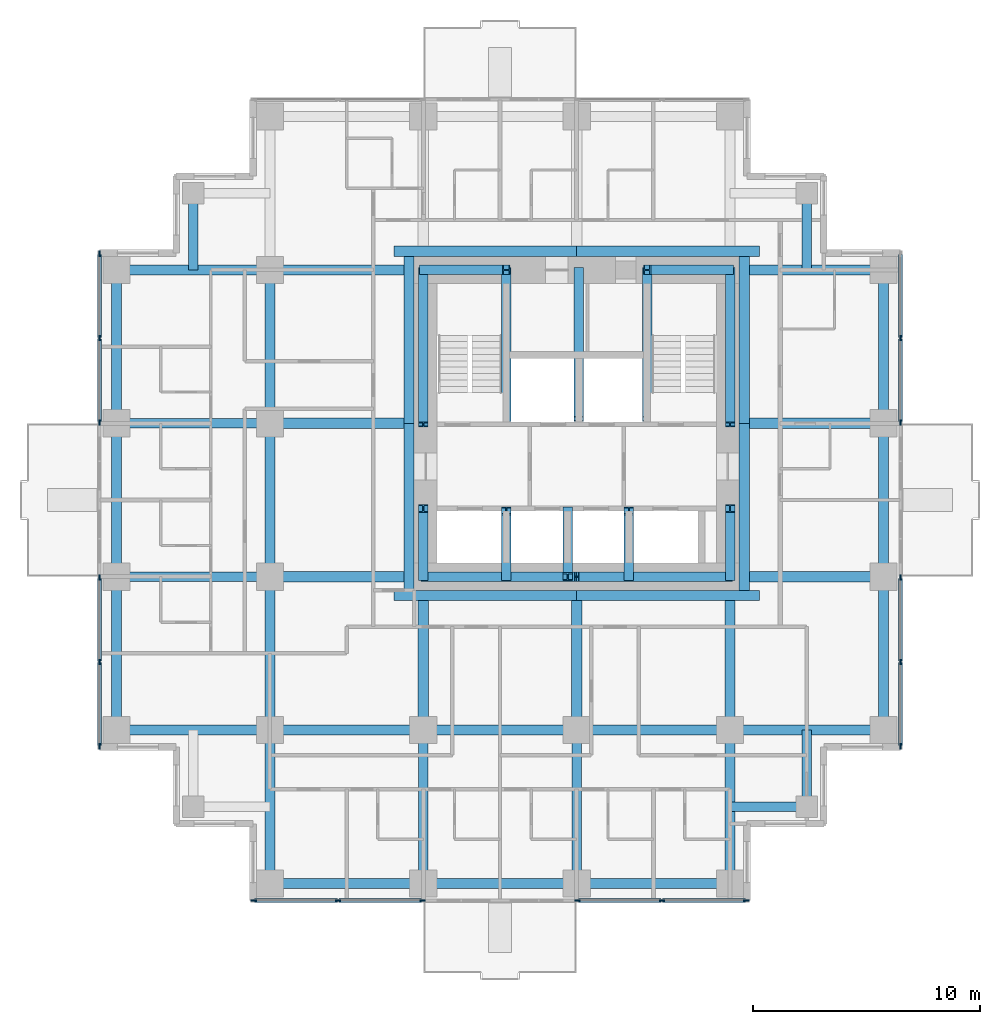
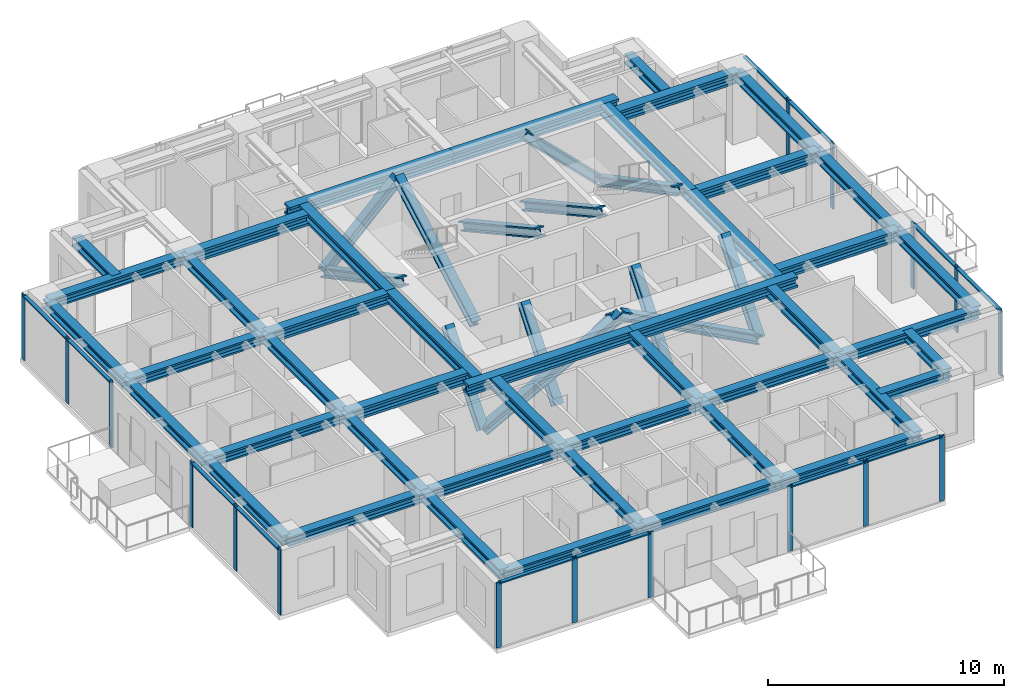
# One storey, part 2 of 10: 45 beams, 43 members, 6 elements without a shape of their own.
"""IFC4 building model written with IfcOpenShell, lengths in metres."""

from ifc_helpers import new_model, si_unit, direction, frame, origin, origin_2d, place, context, subcontext, project, spatial, rectangle, i_section, extrude, material, material_profile, profile_set, type_object, element, aggregate, save


model = new_model("IFC4")

# Units and contexts
model_context = context("Model", 3, precision=1e-05, world=origin(), true_north=direction((0.0, 1.0)))
body_context = subcontext(model_context, "Body", "Model", "MODEL_VIEW")
ifc_project = project(units=[si_unit("LENGTHUNIT", "METRE"), si_unit("AREAUNIT", "SQUARE_METRE"), si_unit("VOLUMEUNIT", "CUBIC_METRE"), si_unit("PLANEANGLEUNIT", "RADIAN"), si_unit("MASSUNIT", "GRAM", prefix="KILO")], contexts=[model_context])

# Site, building, storey
site_placement = place(None, origin())
site = spatial("IfcSite", under=ifc_project, at=site_placement, CompositionType="ELEMENT")
building_placement = place(site_placement, origin())
building = spatial("IfcBuilding", under=site, at=building_placement, Name="Nyansa Garden Tower", CompositionType="ELEMENT")
storey_placement = place(building_placement, frame((0.0, 0.0, 185.39990234375)))
storey = spatial("IfcBuildingStorey", under=building, at=storey_placement, Name="L50", CompositionType="ELEMENT", Elevation=185.39990234375)

# Curtain wall, members
ifc_material_1 = material(Name="Black anodised aluminium, dark tinted double glazing", Category="aluminium")
curtain_wall_type = type_object("IfcCurtainWallType", Name="Inner skin curtain wall ISW-C", PredefinedType="USERDEFINED", material=ifc_material_1)
curtain_wall_1_placement = place(storey_placement, origin())
curtain_wall_1 = element("IfcCurtainWall", 1, at=curtain_wall_1_placement, inside=storey, type_object=curtain_wall_type, Name="Inner skin curtain wall L50 E", ObjectType="UNITISED CURTAIN WALL", PredefinedType="USERDEFINED")
ifc_material_2 = material(Name="Black anodised aluminium", Category="aluminium")
ifc_material_profile_1 = material_profile(ifc_material_2, rectangle(XDim=0.070068359375, YDim=0.25, at=origin_2d()), Name="Mullion 250x70")
ifc_profile_set_1 = profile_set([ifc_material_profile_1], Name="Black anodised aluminium")
member_type_1 = type_object("IfcMemberType", Name="Mullion ISW-C 250x70", PredefinedType="MULLION", material=ifc_profile_set_1)
member_1_placement = place(storey_placement, frame((34.5, 6.034912109375, 0.0), z_axis=(0.0, 0.0, 1.0), x_axis=(-1.0, 0.0, 0.0)))
member_1 = element("IfcMember", 2, at=member_1_placement, type_object=member_type_1, Name="ISW-C mullion 1", PredefinedType="MULLION", context=body_context, shape_type="SweptSolid", body=[
    extrude(rectangle(XDim=0.070068359375, YDim=0.25, at=origin_2d()), origin(), (0.0, 0.0, 1.0), 3.375),
])
member_2_placement = place(storey_placement, frame((34.5, 9.75, 0.0), z_axis=(0.0, 0.0, 1.0), x_axis=(-1.0, 0.0, 0.0)))
member_2 = element("IfcMember", 3, at=member_2_placement, type_object=member_type_1, Name="ISW-C mullion 2", PredefinedType="MULLION", context=body_context, shape_type="SweptSolid", body=[
    extrude(rectangle(XDim=0.070068359375, YDim=0.25, at=origin_2d()), origin(), (0.0, 0.0, 1.0), 3.375),
])
member_3_placement = place(storey_placement, frame((34.5, 13.465087890625, 0.0), z_axis=(0.0, 0.0, 1.0), x_axis=(-1.0, 0.0, 0.0)))
member_3 = element("IfcMember", 4, at=member_3_placement, type_object=member_type_1, Name="ISW-C mullion 3", PredefinedType="MULLION", context=body_context, shape_type="SweptSolid", body=[
    extrude(rectangle(XDim=0.070068359375, YDim=0.25, at=origin_2d()), origin(), (0.0, 0.0, 1.0), 3.375),
])

curtain_wall_2_placement = place(storey_placement, origin())
curtain_wall_2 = element("IfcCurtainWall", 5, at=curtain_wall_2_placement, inside=storey, type_object=curtain_wall_type, Name="Inner skin curtain wall L50 E", ObjectType="UNITISED CURTAIN WALL", PredefinedType="USERDEFINED")
member_4_placement = place(storey_placement, frame((34.5, 20.284912109375, 0.0), z_axis=(0.0, 0.0, 1.0), x_axis=(-1.0, 0.0, 0.0)))
member_4 = element("IfcMember", 6, at=member_4_placement, type_object=member_type_1, Name="ISW-C mullion 1", PredefinedType="MULLION", context=body_context, shape_type="SweptSolid", body=[
    extrude(rectangle(XDim=0.070068359375, YDim=0.25, at=origin_2d()), origin(), (0.0, 0.0, 1.0), 3.375),
])
member_5_placement = place(storey_placement, frame((34.5, 24.0, 0.0), z_axis=(0.0, 0.0, 1.0), x_axis=(-1.0, 0.0, 0.0)))
member_5 = element("IfcMember", 7, at=member_5_placement, type_object=member_type_1, Name="ISW-C mullion 2", PredefinedType="MULLION", context=body_context, shape_type="SweptSolid", body=[
    extrude(rectangle(XDim=0.070068359375, YDim=0.25, at=origin_2d()), origin(), (0.0, 0.0, 1.0), 3.375),
])

curtain_wall_3_placement = place(storey_placement, origin())
curtain_wall_3 = element("IfcCurtainWall", 8, at=curtain_wall_3_placement, inside=storey, type_object=curtain_wall_type, Name="Inner skin curtain wall L50 W", ObjectType="UNITISED CURTAIN WALL", PredefinedType="USERDEFINED")
member_6_placement = place(storey_placement, frame((-0.75, 13.465087890625, 0.0), z_axis=(0.0, 0.0, 1.0), x_axis=(1.0, 0.0, 0.0)))
member_6 = element("IfcMember", 9, at=member_6_placement, type_object=member_type_1, Name="ISW-C mullion 1", PredefinedType="MULLION", context=body_context, shape_type="SweptSolid", body=[
    extrude(rectangle(XDim=0.070068359375, YDim=0.25, at=origin_2d()), origin(), (0.0, 0.0, 1.0), 3.375),
])
member_7_placement = place(storey_placement, frame((-0.75, 9.75, 0.0), z_axis=(0.0, 0.0, 1.0), x_axis=(1.0, 0.0, 0.0)))
member_7 = element("IfcMember", 10, at=member_7_placement, type_object=member_type_1, Name="ISW-C mullion 2", PredefinedType="MULLION", context=body_context, shape_type="SweptSolid", body=[
    extrude(rectangle(XDim=0.070068359375, YDim=0.25, at=origin_2d()), origin(), (0.0, 0.0, 1.0), 3.375),
])
member_8_placement = place(storey_placement, frame((-0.75, 6.034912109375, 0.0), z_axis=(0.0, 0.0, 1.0), x_axis=(1.0, 0.0, 0.0)))
member_8 = element("IfcMember", 11, at=member_8_placement, type_object=member_type_1, Name="ISW-C mullion 3", PredefinedType="MULLION", context=body_context, shape_type="SweptSolid", body=[
    extrude(rectangle(XDim=0.070068359375, YDim=0.25, at=origin_2d()), origin(), (0.0, 0.0, 1.0), 3.375),
])

curtain_wall_4_placement = place(storey_placement, origin())
curtain_wall_4 = element("IfcCurtainWall", 12, at=curtain_wall_4_placement, inside=storey, type_object=curtain_wall_type, Name="Inner skin curtain wall L50 W", ObjectType="UNITISED CURTAIN WALL", PredefinedType="USERDEFINED")
member_9_placement = place(storey_placement, frame((-0.75, 27.715087890625, 0.0), z_axis=(0.0, 0.0, 1.0), x_axis=(1.0, 0.0, 0.0)))
member_9 = element("IfcMember", 13, at=member_9_placement, type_object=member_type_1, Name="ISW-C mullion 1", PredefinedType="MULLION", context=body_context, shape_type="SweptSolid", body=[
    extrude(rectangle(XDim=0.070068359375, YDim=0.25, at=origin_2d()), origin(), (0.0, 0.0, 1.0), 3.375),
])
member_10_placement = place(storey_placement, frame((-0.75, 24.0, 0.0), z_axis=(0.0, 0.0, 1.0), x_axis=(1.0, 0.0, 0.0)))
member_10 = element("IfcMember", 14, at=member_10_placement, type_object=member_type_1, Name="ISW-C mullion 2", PredefinedType="MULLION", context=body_context, shape_type="SweptSolid", body=[
    extrude(rectangle(XDim=0.070068359375, YDim=0.25, at=origin_2d()), origin(), (0.0, 0.0, 1.0), 3.375),
])
member_11_placement = place(storey_placement, frame((-0.75, 20.284912109375, 0.0), z_axis=(0.0, 0.0, 1.0), x_axis=(1.0, 0.0, 0.0)))
member_11 = element("IfcMember", 15, at=member_11_placement, type_object=member_type_1, Name="ISW-C mullion 3", PredefinedType="MULLION", context=body_context, shape_type="SweptSolid", body=[
    extrude(rectangle(XDim=0.070068359375, YDim=0.25, at=origin_2d()), origin(), (0.0, 0.0, 1.0), 3.375),
])

curtain_wall_5_placement = place(storey_placement, origin())
curtain_wall_5 = element("IfcCurtainWall", 16, at=curtain_wall_5_placement, inside=storey, type_object=curtain_wall_type, Name="Inner skin curtain wall L50 S", ObjectType="UNITISED CURTAIN WALL", PredefinedType="USERDEFINED")
member_12_placement = place(storey_placement, frame((6.034912109375, -0.75, 0.0), z_axis=(0.0, 0.0, 1.0), x_axis=(0.0, 1.0, 0.0)))
member_12 = element("IfcMember", 17, at=member_12_placement, type_object=member_type_1, Name="ISW-C mullion 1", PredefinedType="MULLION", context=body_context, shape_type="SweptSolid", body=[
    extrude(rectangle(XDim=0.070068359375, YDim=0.25, at=origin_2d()), origin(), (0.0, 0.0, 1.0), 3.375),
])
member_13_placement = place(storey_placement, frame((9.75, -0.75, 0.0), z_axis=(0.0, 0.0, 1.0), x_axis=(0.0, 1.0, 0.0)))
member_13 = element("IfcMember", 18, at=member_13_placement, type_object=member_type_1, Name="ISW-C mullion 2", PredefinedType="MULLION", context=body_context, shape_type="SweptSolid", body=[
    extrude(rectangle(XDim=0.070068359375, YDim=0.25, at=origin_2d()), origin(), (0.0, 0.0, 1.0), 3.375),
])
member_14_placement = place(storey_placement, frame((13.465087890625, -0.75, 0.0), z_axis=(0.0, 0.0, 1.0), x_axis=(0.0, 1.0, 0.0)))
member_14 = element("IfcMember", 19, at=member_14_placement, type_object=member_type_1, Name="ISW-C mullion 3", PredefinedType="MULLION", context=body_context, shape_type="SweptSolid", body=[
    extrude(rectangle(XDim=0.070068359375, YDim=0.25, at=origin_2d()), origin(), (0.0, 0.0, 1.0), 3.375),
])

curtain_wall_6_placement = place(storey_placement, origin())
curtain_wall_6 = element("IfcCurtainWall", 20, at=curtain_wall_6_placement, inside=storey, type_object=curtain_wall_type, Name="Inner skin curtain wall L50 S", ObjectType="UNITISED CURTAIN WALL", PredefinedType="USERDEFINED")
member_15_placement = place(storey_placement, frame((20.284912109375, -0.75, 0.0), z_axis=(0.0, 0.0, 1.0), x_axis=(0.0, 1.0, 0.0)))
member_15 = element("IfcMember", 21, at=member_15_placement, type_object=member_type_1, Name="ISW-C mullion 1", PredefinedType="MULLION", context=body_context, shape_type="SweptSolid", body=[
    extrude(rectangle(XDim=0.070068359375, YDim=0.25, at=origin_2d()), origin(), (0.0, 0.0, 1.0), 3.375),
])
member_16_placement = place(storey_placement, frame((24.0, -0.75, 0.0), z_axis=(0.0, 0.0, 1.0), x_axis=(0.0, 1.0, 0.0)))
member_16 = element("IfcMember", 22, at=member_16_placement, type_object=member_type_1, Name="ISW-C mullion 2", PredefinedType="MULLION", context=body_context, shape_type="SweptSolid", body=[
    extrude(rectangle(XDim=0.070068359375, YDim=0.25, at=origin_2d()), origin(), (0.0, 0.0, 1.0), 3.375),
])
member_17_placement = place(storey_placement, frame((27.715087890625, -0.75, 0.0), z_axis=(0.0, 0.0, 1.0), x_axis=(0.0, 1.0, 0.0)))
member_17 = element("IfcMember", 23, at=member_17_placement, type_object=member_type_1, Name="ISW-C mullion 3", PredefinedType="MULLION", context=body_context, shape_type="SweptSolid", body=[
    extrude(rectangle(XDim=0.070068359375, YDim=0.25, at=origin_2d()), origin(), (0.0, 0.0, 1.0), 3.375),
])

# Members
ifc_material_3 = material(Name="Steel S355", Category="steel")
ifc_material_profile_2 = material_profile(ifc_material_3, i_section(OverallWidth=0.41796875, OverallDepth=0.455078125, WebThickness=0.0419921875, FlangeThickness=0.067626953125, FilletRadius=0.014892578125, at=origin_2d()), Name="HD 400x463")
ifc_profile_set_2 = profile_set([ifc_material_profile_2], Name="Steel S355")
member_type_2 = type_object("IfcMemberType", Name="Perimeter brace heavy HD 400x463", PredefinedType="BRACE", material=ifc_profile_set_2)
for number, where, z_axis, x_axis, name in (
    (24, (13.5, 13.5, 0.0), (0.882347640589, 0.0, 0.47059817376), (0.0, 1.0, 0.0), "Core brace CS1 L50"),
    (25, (27.0, 13.5, 0.0), (-0.882347640589, 0.0, 0.47059817376), (0.0, -1.0, 0.0), "Core brace CS2 L50"),
):
    element("IfcMember", number, at=place(storey_placement, frame(where, z_axis=z_axis, x_axis=x_axis)), inside=storey, type_object=member_type_2, Name=name, PredefinedType="BRACE", context=body_context, shape_type="SweptSolid", body=[
        extrude(i_section(OverallWidth=0.41796875, OverallDepth=0.455078125, WebThickness=0.0419921875, FlangeThickness=0.067626953125, FilletRadius=0.014892578125, at=origin_2d()), origin(), (0.0, 0.0, 1.0), 7.650146484375),
    ])
for number, where, z_axis, x_axis, name in (
    (26, (13.5, 27.0, 0.0), (0.711947531702, 0.0, 0.702232662373), (0.0, 1.0, 0.0), "Core brace CN3 L50"),
    (27, (27.0, 27.0, 0.0), (-0.711947531702, 0.0, 0.702232662373), (0.0, -1.0, 0.0), "Core brace CN4 L50"),
):
    element("IfcMember", number, at=place(storey_placement, frame(where, z_axis=z_axis, x_axis=x_axis)), inside=storey, type_object=member_type_2, Name=name, PredefinedType="BRACE", context=body_context, shape_type="SweptSolid", body=[
        extrude(i_section(OverallWidth=0.41796875, OverallDepth=0.455078125, WebThickness=0.0419921875, FlangeThickness=0.067626953125, FilletRadius=0.014892578125, at=origin_2d()), origin(), (0.0, 0.0, 1.0), 5.126708984375),
    ])
member_18_placement = place(storey_placement, frame((13.5, 13.5, 0.0), z_axis=(0.0, 0.640174150918, 0.768229820104), x_axis=(-1.0, 0.0, 0.0)))
element("IfcMember", 28, at=member_18_placement, inside=storey, type_object=member_type_2, Name="Core brace CW5 L50", PredefinedType="BRACE", context=body_context, shape_type="SweptSolid", body=[
    extrude(i_section(OverallWidth=0.41796875, OverallDepth=0.455078125, WebThickness=0.0419921875, FlangeThickness=0.067626953125, FilletRadius=0.014892578125, at=origin_2d()), origin(), (0.0, 0.0, 1.0), 4.686279296875),
])
member_19_placement = place(storey_placement, frame((13.5, 27.0, 0.0), z_axis=(0.0, -0.883784057226, 0.467895009796), x_axis=(1.0, 0.0, 0.0)))
element("IfcMember", 29, at=member_19_placement, inside=storey, type_object=member_type_2, Name="Core brace CW6 L50", PredefinedType="BRACE", context=body_context, shape_type="SweptSolid", body=[
    extrude(i_section(OverallWidth=0.41796875, OverallDepth=0.455078125, WebThickness=0.0419921875, FlangeThickness=0.067626953125, FilletRadius=0.014892578125, at=origin_2d()), origin(), (0.0, 0.0, 1.0), 7.6943359375),
])
member_20_placement = place(storey_placement, frame((27.0, 13.5, 0.0), z_axis=(0.0, 0.640174150918, 0.768229820104), x_axis=(-1.0, 0.0, 0.0)))
element("IfcMember", 30, at=member_20_placement, inside=storey, type_object=member_type_2, Name="Core brace CE7 L50", PredefinedType="BRACE", context=body_context, shape_type="SweptSolid", body=[
    extrude(i_section(OverallWidth=0.41796875, OverallDepth=0.455078125, WebThickness=0.0419921875, FlangeThickness=0.067626953125, FilletRadius=0.014892578125, at=origin_2d()), origin(), (0.0, 0.0, 1.0), 4.686279296875),
])
member_21_placement = place(storey_placement, frame((27.0, 27.0, 0.0), z_axis=(0.0, -0.883784057226, 0.467895009796), x_axis=(1.0, 0.0, 0.0)))
element("IfcMember", 31, at=member_21_placement, inside=storey, type_object=member_type_2, Name="Core brace CE8 L50", PredefinedType="BRACE", context=body_context, shape_type="SweptSolid", body=[
    extrude(i_section(OverallWidth=0.41796875, OverallDepth=0.455078125, WebThickness=0.0419921875, FlangeThickness=0.067626953125, FilletRadius=0.014892578125, at=origin_2d()), origin(), (0.0, 0.0, 1.0), 7.6943359375),
])
for number, where, z_axis, x_axis, name in (
    (32, (17.14990234375, 20.449951171875, 0.0), (0.0, 0.876353113771, 0.481669201822), (-1.0, 0.0, 0.0), "Core brace CWS9 L50"),
    (33, (23.35009765625, 27.0, 0.0), (0.0, -0.876353113771, 0.481669201822), (1.0, 0.0, 0.0), "Core brace CES10 L50"),
):
    element("IfcMember", number, at=place(storey_placement, frame(where, z_axis=z_axis, x_axis=x_axis)), inside=storey, type_object=member_type_2, Name=name, PredefinedType="BRACE", context=body_context, shape_type="SweptSolid", body=[
        extrude(i_section(OverallWidth=0.41796875, OverallDepth=0.455078125, WebThickness=0.0419921875, FlangeThickness=0.067626953125, FilletRadius=0.014892578125, at=origin_2d()), origin(), (0.0, 0.0, 1.0), 7.47412109375),
    ])
for number, where, z_axis, x_axis, name in (
    (34, (17.14990234375, 13.5, 0.0), (0.0, 0.627306405886, 0.778772542617), (-1.0, 0.0, 0.0), "Core brace CSW11 L50"),
    (35, (19.85009765625, 16.39990234375, 0.0), (0.0, -0.627306405886, 0.778772542617), (1.0, 0.0, 0.0), "Core brace CSW12 L50"),
    (36, (22.550048828125, 13.5, 0.0), (0.0, 0.627306405886, 0.778772542617), (-1.0, 0.0, 0.0), "Core brace CSW13 L50"),
):
    element("IfcMember", number, at=place(storey_placement, frame(where, z_axis=z_axis, x_axis=x_axis)), inside=storey, type_object=member_type_2, Name=name, PredefinedType="BRACE", context=body_context, shape_type="SweptSolid", body=[
        extrude(i_section(OverallWidth=0.41796875, OverallDepth=0.455078125, WebThickness=0.0419921875, FlangeThickness=0.067626953125, FilletRadius=0.014892578125, at=origin_2d()), origin(), (0.0, 0.0, 1.0), 4.622802734375),
    ])
member_22_placement = place(storey_placement, frame((20.35009765625, 27.0, 0.0), z_axis=(0.0, -0.876353113771, 0.481669201822), x_axis=(1.0, 0.0, 0.0)))
element("IfcMember", 37, at=member_22_placement, inside=storey, type_object=member_type_2, Name="Core brace CNW14 L50", PredefinedType="BRACE", context=body_context, shape_type="SweptSolid", body=[
    extrude(i_section(OverallWidth=0.41796875, OverallDepth=0.455078125, WebThickness=0.0419921875, FlangeThickness=0.067626953125, FilletRadius=0.014892578125, at=origin_2d()), origin(), (0.0, 0.0, 1.0), 7.47412109375),
])

# Beams
ifc_material_4 = material(Name="Steel S355", Category="steel")
ifc_material_profile_3 = material_profile(ifc_material_4, i_section(OverallWidth=0.431884765625, OverallDepth=0.498046875, WebThickness=0.0556640625, FlangeThickness=0.0888671875, FilletRadius=0.014892578125, at=origin_2d()), Name="HD 400x744")
ifc_profile_set_3 = profile_set([ifc_material_profile_3], Name="Steel S355")
beam_type_1 = type_object("IfcBeamType", Name="Steel beam SBC1-744 HD 400x744", PredefinedType="BEAM", material=ifc_profile_set_3)
for number, where, z_axis, x_axis, name in (
    (38, (0.0, 6.75, 3.1259765625), (1.0, 0.0, 0.0), (0.0, 1.0, 0.0), "Steel beam 2/E-3/E L51"),
    (39, (0.0, 13.5, 3.1259765625), (1.0, 0.0, 0.0), (0.0, 1.0, 0.0), "Steel beam 2/F-3/F L51"),
    (40, (0.0, 20.25, 3.1259765625), (1.0, 0.0, 0.0), (0.0, 1.0, 0.0), "Steel beam 2/G-3/G L51"),
    (41, (0.0, 27.0, 3.1259765625), (1.0, 0.0, 0.0), (0.0, 1.0, 0.0), "Steel beam 2/H-3/H L51"),
    (42, (6.75, 0.0, 3.1259765625), (0.0, 1.0, 0.0), (-1.0, 0.0, 0.0), "Steel beam 3/D-3/E L51"),
    (43, (6.75, 6.75, 3.1259765625), (0.0, 1.0, 0.0), (-1.0, 0.0, 0.0), "Steel beam 3/E-3/F L51"),
    (44, (6.75, 6.75, 3.1259765625), (1.0, 0.0, 0.0), (0.0, 1.0, 0.0), "Steel beam 3/E-4/E L51"),
    (45, (6.75, 13.5, 3.1259765625), (0.0, 1.0, 0.0), (-1.0, 0.0, 0.0), "Steel beam 3/F-3/G L51"),
    (46, (6.75, 20.25, 3.1259765625), (0.0, 1.0, 0.0), (-1.0, 0.0, 0.0), "Steel beam 3/G-3/H L51"),
    (47, (13.5, 0.0, 3.1259765625), (0.0, 1.0, 0.0), (-1.0, 0.0, 0.0), "Steel beam 4/D-4/E L51"),
    (48, (13.5, 6.75, 3.1259765625), (1.0, 0.0, 0.0), (0.0, 1.0, 0.0), "Steel beam 4/E-5/E L51"),
    (49, (20.25, 0.0, 3.1259765625), (0.0, 1.0, 0.0), (-1.0, 0.0, 0.0), "Steel beam 5/D-5/E L51"),
    (50, (20.25, 6.75, 3.1259765625), (1.0, 0.0, 0.0), (0.0, 1.0, 0.0), "Steel beam 5/E-6/E L51"),
    (51, (27.0, 0.0, 3.1259765625), (0.0, 1.0, 0.0), (-1.0, 0.0, 0.0), "Steel beam 6/D-6/E L51"),
    (52, (27.0, 6.75, 3.1259765625), (1.0, 0.0, 0.0), (0.0, 1.0, 0.0), "Steel beam 6/E-7/E L51"),
):
    element("IfcBeam", number, at=place(storey_placement, frame(where, z_axis=z_axis, x_axis=x_axis)), inside=storey, type_object=beam_type_1, Name=name, PredefinedType="BEAM", context=body_context, shape_type="SweptSolid", body=[
        extrude(i_section(OverallWidth=0.431884765625, OverallDepth=0.498046875, WebThickness=0.0556640625, FlangeThickness=0.0888671875, FilletRadius=0.014892578125, at=origin_2d()), origin(), (0.0, 0.0, 1.0), 6.75),
    ])
ifc_material_5 = material(Name="Steel S355", Category="steel")
ifc_material_profile_4 = material_profile(ifc_material_5, i_section(OverallWidth=0.4541015625, OverallDepth=0.569091796875, WebThickness=0.077880859375, FlangeThickness=0.125, FilletRadius=0.014892578125, at=origin_2d()), Name="HD 400x1086")
ifc_profile_set_4 = profile_set([ifc_material_profile_4], Name="Steel S355")
beam_type_2 = type_object("IfcBeamType", Name="Steel beam SCL-1086 HD 400x1086", PredefinedType="BEAM", material=ifc_profile_set_4)
for number, where, z_axis, x_axis, name in (
    (53, (6.75, 13.5, 3.090576171875), (1.0, 0.0, 0.0), (0.0, 1.0, 0.0), "Steel beam 3/F-12.650/F L51"),
    (54, (6.75, 20.25, 3.090576171875), (1.0, 0.0, 0.0), (0.0, 1.0, 0.0), "Steel beam 3/G-12.650/G L51"),
    (55, (6.75, 27.0, 3.090576171875), (1.0, 0.0, 0.0), (0.0, 1.0, 0.0), "Steel beam 3/H-12.650/H L51"),
):
    element("IfcBeam", number, at=place(storey_placement, frame(where, z_axis=z_axis, x_axis=x_axis)), inside=storey, type_object=beam_type_2, Name=name, PredefinedType="BEAM", context=body_context, shape_type="SweptSolid", body=[
        extrude(i_section(OverallWidth=0.4541015625, OverallDepth=0.569091796875, WebThickness=0.077880859375, FlangeThickness=0.125, FilletRadius=0.014892578125, at=origin_2d()), origin(), (0.0, 0.0, 1.0), 5.89990234375),
    ])
for number, where, z_axis, x_axis, name in (
    (56, (13.5, 6.75, 3.090576171875), (0.0, 1.0, 0.0), (-1.0, 0.0, 0.0), "Steel beam 4/E-4/12.450 L51"),
    (57, (20.25, 6.75, 3.090576171875), (0.0, 1.0, 0.0), (-1.0, 0.0, 0.0), "Steel beam 5/E-5/12.450 L51"),
    (58, (27.0, 6.75, 3.090576171875), (0.0, 1.0, 0.0), (-1.0, 0.0, 0.0), "Steel beam 6/E-6/12.450 L51"),
):
    element("IfcBeam", number, at=place(storey_placement, frame(where, z_axis=z_axis, x_axis=x_axis)), inside=storey, type_object=beam_type_2, Name=name, PredefinedType="BEAM", context=body_context, shape_type="SweptSolid", body=[
        extrude(i_section(OverallWidth=0.4541015625, OverallDepth=0.569091796875, WebThickness=0.077880859375, FlangeThickness=0.125, FilletRadius=0.014892578125, at=origin_2d()), origin(), (0.0, 0.0, 1.0), 5.699951171875),
    ])
for number, where, z_axis, x_axis, name in (
    (59, (27.85009765625, 13.5, 3.090576171875), (1.0, 0.0, 0.0), (0.0, 1.0, 0.0), "Steel beam 27.850/F-7/F L51"),
    (60, (27.85009765625, 20.25, 3.090576171875), (1.0, 0.0, 0.0), (0.0, 1.0, 0.0), "Steel beam 27.850/G-7/G L51"),
    (61, (27.85009765625, 27.0, 3.090576171875), (1.0, 0.0, 0.0), (0.0, 1.0, 0.0), "Steel beam 27.850/H-7/H L51"),
):
    element("IfcBeam", number, at=place(storey_placement, frame(where, z_axis=z_axis, x_axis=x_axis)), inside=storey, type_object=beam_type_2, Name=name, PredefinedType="BEAM", context=body_context, shape_type="SweptSolid", body=[
        extrude(i_section(OverallWidth=0.4541015625, OverallDepth=0.569091796875, WebThickness=0.077880859375, FlangeThickness=0.125, FilletRadius=0.014892578125, at=origin_2d()), origin(), (0.0, 0.0, 1.0), 5.89990234375),
    ])
for number, where, z_axis, x_axis, name in (
    (62, (12.199951171875, 12.673095703125, 3.090576171875), (1.0, 0.0, 0.0), (0.0, 1.0, 0.0), "Steel core ledger beam S.1 L51"),
    (63, (20.25, 12.673095703125, 3.090576171875), (1.0, 0.0, 0.0), (0.0, 1.0, 0.0), "Steel core ledger beam S.2 L51"),
):
    element("IfcBeam", number, at=place(storey_placement, frame(where, z_axis=z_axis, x_axis=x_axis)), inside=storey, type_object=beam_type_2, Name=name, PredefinedType="BEAM", context=body_context, shape_type="SweptSolid", body=[
        extrude(i_section(OverallWidth=0.4541015625, OverallDepth=0.569091796875, WebThickness=0.077880859375, FlangeThickness=0.125, FilletRadius=0.014892578125, at=origin_2d()), origin(), (0.0, 0.0, 1.0), 8.050048828125),
    ])
for number, where, z_axis, x_axis, name in (
    (64, (27.626953125, 12.89990234375, 3.090576171875), (0.0, 1.0, 0.0), (-1.0, 0.0, 0.0), "Steel core ledger beam E.1 L51"),
    (65, (27.626953125, 20.25, 3.090576171875), (0.0, 1.0, 0.0), (-1.0, 0.0, 0.0), "Steel core ledger beam E.2 L51"),
):
    element("IfcBeam", number, at=place(storey_placement, frame(where, z_axis=z_axis, x_axis=x_axis)), inside=storey, type_object=beam_type_2, Name=name, PredefinedType="BEAM", context=body_context, shape_type="SweptSolid", body=[
        extrude(i_section(OverallWidth=0.4541015625, OverallDepth=0.569091796875, WebThickness=0.077880859375, FlangeThickness=0.125, FilletRadius=0.014892578125, at=origin_2d()), origin(), (0.0, 0.0, 1.0), 7.35009765625),
    ])
for number, where, z_axis, x_axis, name in (
    (66, (28.300048828125, 27.826904296875, 3.090576171875), (-1.0, 0.0, 0.0), (0.0, -1.0, 0.0), "Steel core ledger beam N.1 L51"),
    (67, (20.25, 27.826904296875, 3.090576171875), (-1.0, 0.0, 0.0), (0.0, -1.0, 0.0), "Steel core ledger beam N.2 L51"),
):
    element("IfcBeam", number, at=place(storey_placement, frame(where, z_axis=z_axis, x_axis=x_axis)), inside=storey, type_object=beam_type_2, Name=name, PredefinedType="BEAM", context=body_context, shape_type="SweptSolid", body=[
        extrude(i_section(OverallWidth=0.4541015625, OverallDepth=0.569091796875, WebThickness=0.077880859375, FlangeThickness=0.125, FilletRadius=0.014892578125, at=origin_2d()), origin(), (0.0, 0.0, 1.0), 8.050048828125),
    ])
for number, where, z_axis, x_axis, name in (
    (68, (12.873046875, 27.60009765625, 3.090576171875), (0.0, -1.0, 0.0), (1.0, 0.0, 0.0), "Steel core ledger beam W.1 L51"),
    (69, (12.873046875, 20.25, 3.090576171875), (0.0, -1.0, 0.0), (1.0, 0.0, 0.0), "Steel core ledger beam W.2 L51"),
):
    element("IfcBeam", number, at=place(storey_placement, frame(where, z_axis=z_axis, x_axis=x_axis)), inside=storey, type_object=beam_type_2, Name=name, PredefinedType="BEAM", context=body_context, shape_type="SweptSolid", body=[
        extrude(i_section(OverallWidth=0.4541015625, OverallDepth=0.569091796875, WebThickness=0.077880859375, FlangeThickness=0.125, FilletRadius=0.014892578125, at=origin_2d()), origin(), (0.0, 0.0, 1.0), 7.35009765625),
    ])
ifc_material_6 = material(Name="Steel S355", Category="steel")
ifc_material_profile_5 = material_profile(ifc_material_6, i_section(OverallWidth=0.431884765625, OverallDepth=0.498046875, WebThickness=0.0556640625, FlangeThickness=0.0888671875, FilletRadius=0.014892578125, at=origin_2d()), Name="HD 400x744")
ifc_profile_set_5 = profile_set([ifc_material_profile_5], Name="Steel S355")
beam_type_3 = type_object("IfcBeamType", Name="Steel beam SEBC-744 HD 400x744", PredefinedType="BEAM", material=ifc_profile_set_5)
for number, where, z_axis, x_axis, name in (
    (70, (0.0, 6.75, 3.1259765625), (0.0, 1.0, 0.0), (-1.0, 0.0, 0.0), "Steel edge beam 2/E-2/F L51"),
    (71, (0.0, 13.5, 3.1259765625), (0.0, 1.0, 0.0), (-1.0, 0.0, 0.0), "Steel edge beam 2/F-2/G L51"),
    (72, (0.0, 20.25, 3.1259765625), (0.0, 1.0, 0.0), (-1.0, 0.0, 0.0), "Steel edge beam 2/G-2/H L51"),
    (73, (6.75, 0.0, 3.1259765625), (1.0, 0.0, 0.0), (0.0, 1.0, 0.0), "Steel edge beam 3/D-4/D L51"),
    (74, (13.5, 0.0, 3.1259765625), (1.0, 0.0, 0.0), (0.0, 1.0, 0.0), "Steel edge beam 4/D-5/D L51"),
    (75, (20.25, 0.0, 3.1259765625), (1.0, 0.0, 0.0), (0.0, 1.0, 0.0), "Steel edge beam 5/D-6/D L51"),
    (76, (33.75, 6.75, 3.1259765625), (0.0, 1.0, 0.0), (-1.0, 0.0, 0.0), "Steel edge beam 7/E-7/F L51"),
    (77, (33.75, 13.5, 3.1259765625), (0.0, 1.0, 0.0), (-1.0, 0.0, 0.0), "Steel edge beam 7/F-7/G L51"),
    (78, (33.75, 20.25, 3.1259765625), (0.0, 1.0, 0.0), (-1.0, 0.0, 0.0), "Steel edge beam 7/G-7/H L51"),
):
    element("IfcBeam", number, at=place(storey_placement, frame(where, z_axis=z_axis, x_axis=x_axis)), inside=storey, type_object=beam_type_3, Name=name, PredefinedType="BEAM", context=body_context, shape_type="SweptSolid", body=[
        extrude(i_section(OverallWidth=0.431884765625, OverallDepth=0.498046875, WebThickness=0.0556640625, FlangeThickness=0.0888671875, FilletRadius=0.014892578125, at=origin_2d()), origin(), (0.0, 0.0, 1.0), 6.75),
    ])
ifc_material_7 = material(Name="Steel S355", Category="steel")
ifc_material_profile_6 = material_profile(ifc_material_7, i_section(OverallWidth=0.431884765625, OverallDepth=0.498046875, WebThickness=0.0556640625, FlangeThickness=0.0888671875, FilletRadius=0.014892578125, at=origin_2d()), Name="HD 400x744")
ifc_profile_set_6 = profile_set([ifc_material_profile_6], Name="Steel S355")
beam_type_4 = type_object("IfcBeamType", Name="Steel beam SSB1-744 HD 400x744", PredefinedType="BEAM", material=ifc_profile_set_6)
for number, where, z_axis, x_axis, name in (
    (79, (30.375, 3.375, 3.1259765625), (0.0, 1.0, 0.0), (-1.0, 0.0, 0.0), "Steel step beam 30.375/3.375 L51"),
    (80, (30.375, 3.375, 3.1259765625), (-1.0, 0.0, 0.0), (0.0, -1.0, 0.0), "Steel step beam 30.375/3.375 L51"),
    (81, (30.375, 30.375, 3.1259765625), (0.0, -1.0, 0.0), (1.0, 0.0, 0.0), "Steel step beam 30.375/30.375 L51"),
    (82, (3.375, 30.375, 3.1259765625), (0.0, -1.0, 0.0), (1.0, 0.0, 0.0), "Steel step beam 3.375/30.375 L51"),
):
    element("IfcBeam", number, at=place(storey_placement, frame(where, z_axis=z_axis, x_axis=x_axis)), inside=storey, type_object=beam_type_4, Name=name, PredefinedType="BEAM", context=body_context, shape_type="SweptSolid", body=[
        extrude(i_section(OverallWidth=0.431884765625, OverallDepth=0.498046875, WebThickness=0.0556640625, FlangeThickness=0.0888671875, FilletRadius=0.014892578125, at=origin_2d()), origin(), (0.0, 0.0, 1.0), 3.375),
    ])

# Member
ifc_material_8 = material(Name="Black anodised aluminium", Category="aluminium")
ifc_material_profile_7 = material_profile(ifc_material_8, rectangle(XDim=0.179931640625, YDim=0.070068359375, at=origin_2d()), Name="Transom 180x70")
ifc_profile_set_7 = profile_set([ifc_material_profile_7], Name="Black anodised aluminium")
member_type_3 = type_object("IfcMemberType", Name="Transom ISW-C 180x70", PredefinedType="USERDEFINED", material=ifc_profile_set_7)
member_23_placement = place(storey_placement, frame((34.5, 6.070068359375, 3.340087890625), z_axis=(0.0, 1.0, 0.0), x_axis=(-1.0, 0.0, 0.0)))
member_23 = element("IfcMember", 83, at=member_23_placement, type_object=member_type_3, Name="ISW-C transom 1", ObjectType="TRANSOM", PredefinedType="USERDEFINED", context=body_context, shape_type="SweptSolid", body=[
    extrude(rectangle(XDim=0.179931640625, YDim=0.070068359375, at=origin_2d()), origin(), (0.0, 0.0, 1.0), 3.64501953125),
])

member_24_placement = place(storey_placement, frame((34.5, 9.784912109375, 3.340087890625), z_axis=(0.0, 1.0, 0.0), x_axis=(-1.0, 0.0, 0.0)))
member_24 = element("IfcMember", 84, at=member_24_placement, type_object=member_type_3, Name="ISW-C transom 2", ObjectType="TRANSOM", PredefinedType="USERDEFINED", context=body_context, shape_type="SweptSolid", body=[
    extrude(rectangle(XDim=0.179931640625, YDim=0.070068359375, at=origin_2d()), origin(), (0.0, 0.0, 1.0), 3.64501953125),
])

aggregate(curtain_wall_1, [member_1, member_2, member_3, member_23, member_24])

member_25_placement = place(storey_placement, frame((34.5, 20.320068359375, 3.340087890625), z_axis=(0.0, 1.0, 0.0), x_axis=(-1.0, 0.0, 0.0)))
member_25 = element("IfcMember", 85, at=member_25_placement, type_object=member_type_3, Name="ISW-C transom 1", ObjectType="TRANSOM", PredefinedType="USERDEFINED", context=body_context, shape_type="SweptSolid", body=[
    extrude(rectangle(XDim=0.179931640625, YDim=0.070068359375, at=origin_2d()), origin(), (0.0, 0.0, 1.0), 3.64501953125),
])

member_26_placement = place(storey_placement, frame((34.5, 24.034912109375, 3.340087890625), z_axis=(0.0, 1.0, 0.0), x_axis=(-1.0, 0.0, 0.0)))
member_26 = element("IfcMember", 86, at=member_26_placement, type_object=member_type_3, Name="ISW-C transom 2", ObjectType="TRANSOM", PredefinedType="USERDEFINED", context=body_context, shape_type="SweptSolid", body=[
    extrude(rectangle(XDim=0.179931640625, YDim=0.070068359375, at=origin_2d()), origin(), (0.0, 0.0, 1.0), 3.64501953125),
])

aggregate(curtain_wall_2, [member_4, member_5, member_25, member_26])

member_27_placement = place(storey_placement, frame((-0.75, 13.429931640625, 3.340087890625), z_axis=(0.0, -1.0, 0.0), x_axis=(1.0, 0.0, 0.0)))
member_27 = element("IfcMember", 87, at=member_27_placement, type_object=member_type_3, Name="ISW-C transom 1", ObjectType="TRANSOM", PredefinedType="USERDEFINED", context=body_context, shape_type="SweptSolid", body=[
    extrude(rectangle(XDim=0.179931640625, YDim=0.070068359375, at=origin_2d()), origin(), (0.0, 0.0, 1.0), 3.64501953125),
])

member_28_placement = place(storey_placement, frame((-0.75, 9.715087890625, 3.340087890625), z_axis=(0.0, -1.0, 0.0), x_axis=(1.0, 0.0, 0.0)))
member_28 = element("IfcMember", 88, at=member_28_placement, type_object=member_type_3, Name="ISW-C transom 2", ObjectType="TRANSOM", PredefinedType="USERDEFINED", context=body_context, shape_type="SweptSolid", body=[
    extrude(rectangle(XDim=0.179931640625, YDim=0.070068359375, at=origin_2d()), origin(), (0.0, 0.0, 1.0), 3.64501953125),
])

aggregate(curtain_wall_3, [member_6, member_7, member_8, member_27, member_28])

member_29_placement = place(storey_placement, frame((-0.75, 27.679931640625, 3.340087890625), z_axis=(0.0, -1.0, 0.0), x_axis=(1.0, 0.0, 0.0)))
member_29 = element("IfcMember", 89, at=member_29_placement, type_object=member_type_3, Name="ISW-C transom 1", ObjectType="TRANSOM", PredefinedType="USERDEFINED", context=body_context, shape_type="SweptSolid", body=[
    extrude(rectangle(XDim=0.179931640625, YDim=0.070068359375, at=origin_2d()), origin(), (0.0, 0.0, 1.0), 3.64501953125),
])

member_30_placement = place(storey_placement, frame((-0.75, 23.965087890625, 3.340087890625), z_axis=(0.0, -1.0, 0.0), x_axis=(1.0, 0.0, 0.0)))
member_30 = element("IfcMember", 90, at=member_30_placement, type_object=member_type_3, Name="ISW-C transom 2", ObjectType="TRANSOM", PredefinedType="USERDEFINED", context=body_context, shape_type="SweptSolid", body=[
    extrude(rectangle(XDim=0.179931640625, YDim=0.070068359375, at=origin_2d()), origin(), (0.0, 0.0, 1.0), 3.64501953125),
])

aggregate(curtain_wall_4, [member_9, member_10, member_11, member_29, member_30])

member_31_placement = place(storey_placement, frame((6.070068359375, -0.75, 3.340087890625), z_axis=(1.0, 0.0, 0.0), x_axis=(0.0, 1.0, 0.0)))
member_31 = element("IfcMember", 91, at=member_31_placement, type_object=member_type_3, Name="ISW-C transom 1", ObjectType="TRANSOM", PredefinedType="USERDEFINED", context=body_context, shape_type="SweptSolid", body=[
    extrude(rectangle(XDim=0.179931640625, YDim=0.070068359375, at=origin_2d()), origin(), (0.0, 0.0, 1.0), 3.64501953125),
])

member_32_placement = place(storey_placement, frame((9.784912109375, -0.75, 3.340087890625), z_axis=(1.0, 0.0, 0.0), x_axis=(0.0, 1.0, 0.0)))
member_32 = element("IfcMember", 92, at=member_32_placement, type_object=member_type_3, Name="ISW-C transom 2", ObjectType="TRANSOM", PredefinedType="USERDEFINED", context=body_context, shape_type="SweptSolid", body=[
    extrude(rectangle(XDim=0.179931640625, YDim=0.070068359375, at=origin_2d()), origin(), (0.0, 0.0, 1.0), 3.64501953125),
])

aggregate(curtain_wall_5, [member_12, member_13, member_14, member_31, member_32])

member_33_placement = place(storey_placement, frame((20.320068359375, -0.75, 3.340087890625), z_axis=(1.0, 0.0, 0.0), x_axis=(0.0, 1.0, 0.0)))
member_33 = element("IfcMember", 93, at=member_33_placement, type_object=member_type_3, Name="ISW-C transom 1", ObjectType="TRANSOM", PredefinedType="USERDEFINED", context=body_context, shape_type="SweptSolid", body=[
    extrude(rectangle(XDim=0.179931640625, YDim=0.070068359375, at=origin_2d()), origin(), (0.0, 0.0, 1.0), 3.64501953125),
])

member_34_placement = place(storey_placement, frame((24.034912109375, -0.75, 3.340087890625), z_axis=(1.0, 0.0, 0.0), x_axis=(0.0, 1.0, 0.0)))
member_34 = element("IfcMember", 94, at=member_34_placement, type_object=member_type_3, Name="ISW-C transom 2", ObjectType="TRANSOM", PredefinedType="USERDEFINED", context=body_context, shape_type="SweptSolid", body=[
    extrude(rectangle(XDim=0.179931640625, YDim=0.070068359375, at=origin_2d()), origin(), (0.0, 0.0, 1.0), 3.64501953125),
])

aggregate(curtain_wall_6, [member_15, member_16, member_17, member_33, member_34])

save(model, "model.ifc")
